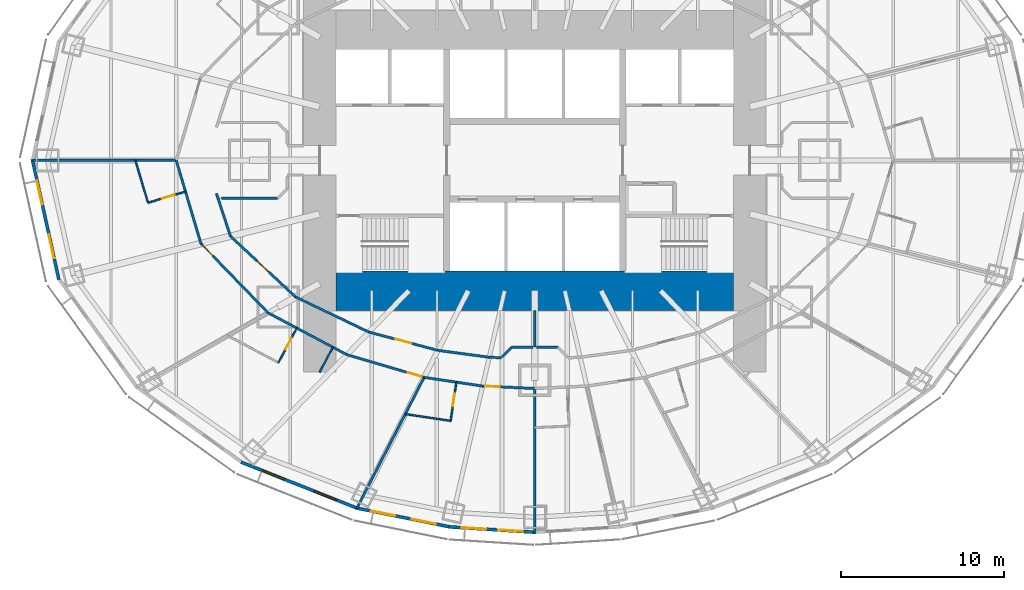
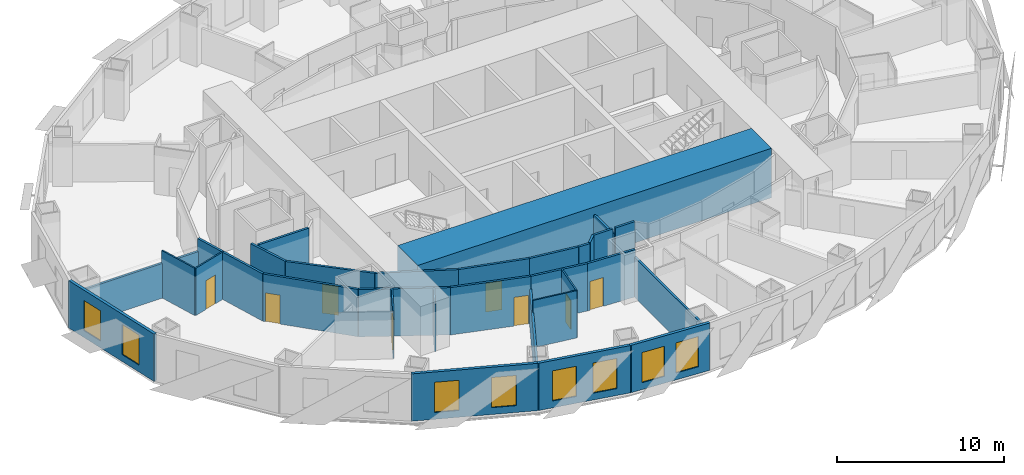
# One storey, part 5 of 15: 31 walls, 8 doors, 8 windows, 16 openings.
"""IFC4 building model written with IfcOpenShell, lengths in metres."""

from ifc_helpers import new_model, si_unit, direction, frame, frame_2d, origin, place, context, subcontext, project, spatial, rectangle, extrude, material, layer, layer_set, type_object, element, fill, save


model = new_model("IFC4")

# Units and contexts
model_context = context("Model", 3, precision=1e-05, world=origin(), true_north=direction((0.0, 1.0)))
body_context = subcontext(model_context, "Body", "Model", "MODEL_VIEW")
ifc_project = project(units=[si_unit("LENGTHUNIT", "METRE"), si_unit("AREAUNIT", "SQUARE_METRE"), si_unit("VOLUMEUNIT", "CUBIC_METRE"), si_unit("PLANEANGLEUNIT", "RADIAN"), si_unit("MASSUNIT", "GRAM", prefix="KILO")], contexts=[model_context])

# Site, building, storey
site_placement = place(None, origin())
site = spatial("IfcSite", under=ifc_project, at=site_placement, CompositionType="ELEMENT")
building_placement = place(site_placement, origin())
building = spatial("IfcBuilding", under=site, at=building_placement, Name="Lantaw Convention Tower", CompositionType="ELEMENT")
storey_placement = place(building_placement, frame((0.0, 0.0, 80.199951171875)))
storey = spatial("IfcBuildingStorey", under=building, at=storey_placement, Name="L18", CompositionType="ELEMENT", Elevation=80.199951171875)

# Wall
ifc_material_1 = material(Name="Gypsum board on steel studs", Category="steel")
ifc_layer_1 = layer(ifc_material_1, 0.14990234375)
ifc_layer_set_1 = layer_set([ifc_layer_1], Name="Back of house wall 150")
wall_type_1 = type_object("IfcWallType", Name="Back of house wall 150", PredefinedType="PARTITIONING", material=ifc_layer_set_1)
wall_1_placement = place(storey_placement, frame((0.0, -9.199951171875, 0.0), z_axis=(0.0, 0.0, 1.0), x_axis=(0.0, -1.0, 0.0)))
element("IfcWall", 1, at=wall_1_placement, inside=storey, type_object=wall_type_1, Name="Back of house wall 150", PredefinedType="PARTITIONING", context=body_context, shape_type="SweptSolid", body=[
    extrude(rectangle(XDim=2.26513671875, YDim=0.14990234375, at=frame_2d((1.132568359375, 0.0))), origin(), (0.0, 0.0, 1.0), 3.043701171875),
])

# Wall, opening, door
ifc_material_2 = material(Name="Moisture resistant gypsum board on steel studs", Category="steel")
ifc_layer_2 = layer(ifc_material_2, 0.10009765625)
ifc_layer_set_2 = layer_set([ifc_layer_2], Name="Bathroom wall 100")
wall_type_2 = type_object("IfcWallType", Name="Bathroom wall 100", PredefinedType="PARTITIONING", material=ifc_layer_set_2)
wall_2_placement = place(storey_placement, frame((-21.430908203125, -1.917236328125, 0.0), z_axis=(0.0, 0.0, 1.0), x_axis=(-0.958639927723, -0.284621659356, 0.0)))
wall_2 = element("IfcWall", 2, at=wall_2_placement, inside=storey, type_object=wall_type_2, Name="Bathroom wall 100", PredefinedType="PARTITIONING", context=body_context, shape_type="SweptSolid", body=[
    extrude(rectangle(XDim=2.400146484375, YDim=0.10009765625, at=frame_2d((1.2001953125, 0.0))), origin(), (0.0, 0.0, 1.0), 3.449951171875),
])
opening_1_placement = place(wall_2_placement, frame((0.699951171875, 0.0, 0.0)))
opening_1 = element("IfcOpeningElement", 3, at=opening_1_placement, cuts=wall_2, Name="Opening L18.39", PredefinedType="OPENING", context=body_context, shape_type="SweptSolid", body=[
    extrude(rectangle(XDim=0.800048828125, YDim=2.10009765625, at=frame_2d((0.39990234375, 1.050048828125))), frame((0.0, 0.06005859375, 0.0), z_axis=(0.0, -1.0, 0.0), x_axis=(1.0, 0.0, 0.0)), (0.0, 0.0, 1.0), 0.1201171875),
])
ifc_material_3 = material(Name="Timber", Category="wood")
door_type_1 = type_object("IfcDoorType", Name="Bathroom door 800", OperationType="SINGLE_SWING_LEFT", PredefinedType="DOOR", material=ifc_material_3)
door_1_placement = place(opening_1_placement, origin())
door_1 = element("IfcDoor", 4, at=door_1_placement, inside=storey, type_object=door_type_1, Name="Bathroom door", OperationType="SINGLE_SWING_LEFT", OverallHeight=2.10009765625, OverallWidth=0.800048828125, PredefinedType="DOOR", context=body_context, shape_type="SweptSolid", body=[
    extrude(rectangle(XDim=0.800048828125, YDim=2.10009765625, at=frame_2d((0.39990234375, 1.050048828125))), frame((0.0, 0.02490234375, 0.0), z_axis=(0.0, -1.0, 0.0), x_axis=(1.0, 0.0, 0.0)), (0.0, 0.0, 1.0), 0.050048828125),
])
fill(opening_1, door_1)

# Wall
wall_3_placement = place(storey_placement, frame((-23.731689453125, -2.600341796875, 0.0), z_axis=(0.0, 0.0, 1.0), x_axis=(-0.284514277473, 0.958671803025, 0.0)))
element("IfcWall", 5, at=wall_3_placement, inside=storey, type_object=wall_type_2, Name="Bathroom wall 100", PredefinedType="PARTITIONING", context=body_context, shape_type="SweptSolid", body=[
    extrude(rectangle(XDim=2.71240234375, YDim=0.10009765625, at=frame_2d((1.356201171875, 0.0))), origin(), (0.0, 0.0, 1.0), 3.449951171875),
])

# Wall, opening, door
wall_4_placement = place(storey_placement, frame((-14.602294921875, -10.291259765625, 0.0), z_axis=(0.0, 0.0, 1.0), x_axis=(-0.468770886208, -0.883319792739, 0.0)))
wall_4 = element("IfcWall", 6, at=wall_4_placement, inside=storey, type_object=wall_type_2, Name="Bathroom wall 100", PredefinedType="PARTITIONING", context=body_context, shape_type="SweptSolid", body=[
    extrude(rectangle(XDim=2.39990234375, YDim=0.10009765625, at=frame_2d((1.199951171875, 0.0))), origin(), (0.0, 0.0, 1.0), 3.449951171875),
])
opening_2_placement = place(wall_4_placement, frame((0.699951171875, 0.0, 0.0)))
opening_2 = element("IfcOpeningElement", 7, at=opening_2_placement, cuts=wall_4, Name="Opening L18.41", PredefinedType="OPENING", context=body_context, shape_type="SweptSolid", body=[
    extrude(rectangle(XDim=0.800048828125, YDim=2.10009765625, at=frame_2d((0.39990234375, 1.050048828125))), frame((0.0, 0.06005859375, 0.0), z_axis=(0.0, -1.0, 0.0), x_axis=(1.0, 0.0, 0.0)), (0.0, 0.0, 1.0), 0.1201171875),
])
door_2_placement = place(opening_2_placement, origin())
door_2 = element("IfcDoor", 8, at=door_2_placement, inside=storey, type_object=door_type_1, Name="Bathroom door", OperationType="SINGLE_SWING_LEFT", OverallHeight=2.10009765625, OverallWidth=0.800048828125, PredefinedType="DOOR", context=body_context, shape_type="SweptSolid", body=[
    extrude(rectangle(XDim=0.800048828125, YDim=2.10009765625, at=frame_2d((0.39990234375, 1.050048828125))), frame((0.0, 0.02490234375, 0.0), z_axis=(0.0, -1.0, 0.0), x_axis=(1.0, 0.0, 0.0)), (0.0, 0.0, 1.0), 0.050048828125),
])
fill(opening_2, door_2)

wall_5_placement = place(storey_placement, frame((-4.807373046875, -13.61181640625, 0.0), z_axis=(0.0, 0.0, 1.0), x_axis=(-0.147201193874, -0.989106570862, 0.0)))
wall_5 = element("IfcWall", 9, at=wall_5_placement, inside=storey, type_object=wall_type_2, Name="Bathroom wall 100", PredefinedType="PARTITIONING", context=body_context, shape_type="SweptSolid", body=[
    extrude(rectangle(XDim=2.39990234375, YDim=0.10009765625, at=frame_2d((1.199951171875, 0.0))), origin(), (0.0, 0.0, 1.0), 3.449951171875),
])
opening_3_placement = place(wall_5_placement, frame((0.699951171875, 0.0, 0.0)))
opening_3 = element("IfcOpeningElement", 10, at=opening_3_placement, cuts=wall_5, Name="Opening L18.43", PredefinedType="OPENING", context=body_context, shape_type="SweptSolid", body=[
    extrude(rectangle(XDim=0.800048828125, YDim=2.10009765625, at=frame_2d((0.39990234375, 1.050048828125))), frame((0.0, 0.06005859375, 0.0), z_axis=(0.0, -1.0, 0.0), x_axis=(1.0, 0.0, 0.0)), (0.0, 0.0, 1.0), 0.1201171875),
])
door_3_placement = place(opening_3_placement, origin())
door_3 = element("IfcDoor", 11, at=door_3_placement, inside=storey, type_object=door_type_1, Name="Bathroom door", OperationType="SINGLE_SWING_LEFT", OverallHeight=2.10009765625, OverallWidth=0.800048828125, PredefinedType="DOOR", context=body_context, shape_type="SweptSolid", body=[
    extrude(rectangle(XDim=0.800048828125, YDim=2.10009765625, at=frame_2d((0.39990234375, 1.050048828125))), frame((0.0, 0.02490234375, 0.0), z_axis=(0.0, -1.0, 0.0), x_axis=(1.0, 0.0, 0.0)), (0.0, 0.0, 1.0), 0.050048828125),
])
fill(opening_3, door_3)

# Walls
wall_6_placement = place(storey_placement, frame((-5.16064453125, -15.985595703125, 0.0), z_axis=(0.0, 0.0, 1.0), x_axis=(-0.98910744157, 0.147195343104, 0.0)))
element("IfcWall", 12, at=wall_6_placement, inside=storey, type_object=wall_type_2, Name="Bathroom wall 100", PredefinedType="PARTITIONING", context=body_context, shape_type="SweptSolid", body=[
    extrude(rectangle(XDim=2.8046875, YDim=0.10009765625, at=frame_2d((1.40234375, 0.0))), origin(), (0.0, 0.0, 1.0), 3.449951171875),
])
ifc_material_4 = material(Name="Concrete C60/75", Category="concrete")
ifc_layer_3 = layer(ifc_material_4, 2.39990234375)
ifc_layer_set_3 = layer_set([ifc_layer_3], Name="Core wall 2400")
wall_type_3 = type_object("IfcWallType", Name="Core wall 2400", PredefinedType="SHEAR", material=ifc_layer_set_3)
wall_7_placement = place(storey_placement, frame((-12.199951171875, -8.0, 0.0), z_axis=(0.0, 0.0, 1.0), x_axis=(1.0, 0.0, 0.0)))
element("IfcWall", 13, at=wall_7_placement, inside=storey, type_object=wall_type_3, Name="Core wall S", PredefinedType="SHEAR", context=body_context, shape_type="SweptSolid", body=[
    extrude(rectangle(XDim=24.39990234375, YDim=2.39990234375, at=frame_2d((12.199951171875, 0.0))), origin(), (0.0, 0.0, 1.0), 3.60009765625),
])
ifc_material_5 = material(Name="Gypsum board on steel studs, fire rated", Category="steel")
ifc_layer_4 = layer(ifc_material_5, 0.14990234375)
ifc_layer_set_4 = layer_set([ifc_layer_4], Name="Corridor wall 150 EI 60")
wall_type_4 = type_object("IfcWallType", Name="Corridor wall 150 EI 60", PredefinedType="PARTITIONING", material=ifc_layer_set_4)
wall_8_placement = place(storey_placement, frame((-22.0, 0.0, 0.0), z_axis=(0.0, 0.0, 1.0), x_axis=(0.284584469409, -0.95865096869, 0.0)))
element("IfcWall", 14, at=wall_8_placement, inside=storey, type_object=wall_type_4, Name="Corridor wall 150", PredefinedType="PARTITIONING", context=body_context, shape_type="SweptSolid", body=[
    extrude(rectangle(XDim=5.327392578125, YDim=0.14990234375, at=frame_2d((2.66357421875, 0.0))), origin(), (0.0, 0.0, 1.0), 3.449951171875),
])

# Wall, opening, door
wall_9_placement = place(storey_placement, frame((-20.48388671875, -5.107177734375, 0.0), z_axis=(0.0, 0.0, 1.0), x_axis=(0.695871090686, -0.71816671125, 0.0)))
wall_9 = element("IfcWall", 15, at=wall_9_placement, inside=storey, type_object=wall_type_4, Name="Corridor wall 150", PredefinedType="PARTITIONING", context=body_context, shape_type="SweptSolid", body=[
    extrude(rectangle(XDim=5.9130859375, YDim=0.14990234375, at=frame_2d((2.95654296875, 0.0))), origin(), (0.0, 0.0, 1.0), 3.449951171875),
])
opening_4_placement = place(wall_9_placement, frame((0.14990234375, 0.0, 0.0)))
opening_4 = element("IfcOpeningElement", 16, at=opening_4_placement, cuts=wall_9, Name="Opening L18.40", PredefinedType="OPENING", context=body_context, shape_type="SweptSolid", body=[
    extrude(rectangle(XDim=0.89990234375, YDim=2.10009765625, at=frame_2d((0.449951171875, 1.050048828125))), frame((0.0, 0.0849609375, 0.0), z_axis=(0.0, -1.0, 0.0), x_axis=(1.0, 0.0, 0.0)), (0.0, 0.0, 1.0), 0.169921875),
])
ifc_material_6 = material(Name="Steel, fire rated", Category="steel")
door_type_2 = type_object("IfcDoorType", Name="Guest room entrance door FD30S", OperationType="SINGLE_SWING_LEFT", PredefinedType="DOOR", material=ifc_material_6)
door_4_placement = place(opening_4_placement, origin())
door_4 = element("IfcDoor", 17, at=door_4_placement, inside=storey, type_object=door_type_2, Name="Junior suite entrance door", OperationType="SINGLE_SWING_LEFT", OverallHeight=2.10009765625, OverallWidth=0.89990234375, PredefinedType="DOOR", context=body_context, shape_type="SweptSolid", body=[
    extrude(rectangle(XDim=0.89990234375, YDim=2.10009765625, at=frame_2d((0.449951171875, 1.050048828125))), frame((0.0, 0.02490234375, 0.0), z_axis=(0.0, -1.0, 0.0), x_axis=(1.0, 0.0, 0.0)), (0.0, 0.0, 1.0), 0.050048828125),
])
fill(opening_4, door_4)

# Wall
wall_10_placement = place(storey_placement, frame((-16.369140625, -9.353759765625, 0.0), z_axis=(0.0, 0.0, 1.0), x_axis=(0.883334368785, -0.468743419071, 0.0)))
element("IfcWall", 18, at=wall_10_placement, inside=storey, type_object=wall_type_4, Name="Corridor wall 150", PredefinedType="PARTITIONING", context=body_context, shape_type="SweptSolid", body=[
    extrude(rectangle(XDim=5.4912109375, YDim=0.14990234375, at=frame_2d((2.74560546875, 0.0))), origin(), (0.0, 0.0, 1.0), 3.449951171875),
])

# Wall, opening, door
wall_11_placement = place(storey_placement, frame((-11.5185546875, -11.927734375, 0.0), z_axis=(0.0, 0.0, 1.0), x_axis=(0.959496227294, -0.281721475589, 0.0)))
wall_11 = element("IfcWall", 19, at=wall_11_placement, inside=storey, type_object=wall_type_4, Name="Corridor wall 150", PredefinedType="PARTITIONING", context=body_context, shape_type="SweptSolid", body=[
    extrude(rectangle(XDim=4.9326171875, YDim=0.14990234375, at=frame_2d((2.46630859375, 0.0))), origin(), (0.0, 0.0, 1.0), 3.449951171875),
])
opening_5_placement = place(wall_11_placement, frame((3.8828125, 0.0, 0.0)))
opening_5 = element("IfcOpeningElement", 20, at=opening_5_placement, cuts=wall_11, Name="Opening L18.42", PredefinedType="OPENING", context=body_context, shape_type="SweptSolid", body=[
    extrude(rectangle(XDim=0.89990234375, YDim=2.10009765625, at=frame_2d((0.449951171875, 1.050048828125))), frame((0.0, 0.0849609375, 0.0), z_axis=(0.0, -1.0, 0.0), x_axis=(1.0, 0.0, 0.0)), (0.0, 0.0, 1.0), 0.169921875),
])
door_5_placement = place(opening_5_placement, origin())
door_5 = element("IfcDoor", 21, at=door_5_placement, inside=storey, type_object=door_type_2, Name="Junior suite entrance door", OperationType="SINGLE_SWING_LEFT", OverallHeight=2.10009765625, OverallWidth=0.89990234375, PredefinedType="DOOR", context=body_context, shape_type="SweptSolid", body=[
    extrude(rectangle(XDim=0.89990234375, YDim=2.10009765625, at=frame_2d((0.449951171875, 1.050048828125))), frame((0.0, 0.02490234375, 0.0), z_axis=(0.0, -1.0, 0.0), x_axis=(1.0, 0.0, 0.0)), (0.0, 0.0, 1.0), 0.050048828125),
])
fill(opening_5, door_5)

# Wall
wall_12_placement = place(storey_placement, frame((-6.78564453125, -13.3173828125, 0.0), z_axis=(0.0, 0.0, 1.0), x_axis=(0.989107488999, -0.14719502439, 0.0)))
element("IfcWall", 22, at=wall_12_placement, inside=storey, type_object=wall_type_4, Name="Corridor wall 150", PredefinedType="PARTITIONING", context=body_context, shape_type="SweptSolid", body=[
    extrude(rectangle(XDim=3.62744140625, YDim=0.14990234375, at=frame_2d((1.813720703125, 0.0))), origin(), (0.0, 0.0, 1.0), 3.449951171875),
])

# Wall, opening, door
wall_13_placement = place(storey_placement, frame((-3.19775390625, -13.851318359375, 0.0), z_axis=(0.0, 0.0, 1.0), x_axis=(0.998920826789, -0.046445471333, 0.0)))
wall_13 = element("IfcWall", 23, at=wall_13_placement, inside=storey, type_object=wall_type_4, Name="Corridor wall 150", PredefinedType="PARTITIONING", context=body_context, shape_type="SweptSolid", body=[
    extrude(rectangle(XDim=3.201171875, YDim=0.14990234375, at=frame_2d((1.6005859375, 0.0))), origin(), (0.0, 0.0, 1.0), 3.449951171875),
])
opening_6_placement = place(wall_13_placement, frame((0.14990234375, 0.0, 0.0)))
opening_6 = element("IfcOpeningElement", 24, at=opening_6_placement, cuts=wall_13, Name="Opening L18.44", PredefinedType="OPENING", context=body_context, shape_type="SweptSolid", body=[
    extrude(rectangle(XDim=0.89990234375, YDim=2.10009765625, at=frame_2d((0.449951171875, 1.050048828125))), frame((0.0, 0.0849609375, 0.0), z_axis=(0.0, -1.0, 0.0), x_axis=(1.0, 0.0, 0.0)), (0.0, 0.0, 1.0), 0.169921875),
])
door_6_placement = place(opening_6_placement, origin())
door_6 = element("IfcDoor", 25, at=door_6_placement, inside=storey, type_object=door_type_2, Name="Junior suite entrance door", OperationType="SINGLE_SWING_LEFT", OverallHeight=2.10009765625, OverallWidth=0.89990234375, PredefinedType="DOOR", context=body_context, shape_type="SweptSolid", body=[
    extrude(rectangle(XDim=0.89990234375, YDim=2.10009765625, at=frame_2d((0.449951171875, 1.050048828125))), frame((0.0, 0.02490234375, 0.0), z_axis=(0.0, -1.0, 0.0), x_axis=(1.0, 0.0, 0.0)), (0.0, 0.0, 1.0), 0.050048828125),
])
fill(opening_6, door_6)

wall_14_placement = place(storey_placement, frame((-18.671630859375, -4.6552734375, 0.0), z_axis=(0.0, 0.0, 1.0), x_axis=(0.731260145007, -0.682098673452, 0.0)))
wall_14 = element("IfcWall", 26, at=wall_14_placement, inside=storey, type_object=wall_type_4, Name="Corridor wall 150", PredefinedType="PARTITIONING", context=body_context, shape_type="SweptSolid", body=[
    extrude(rectangle(XDim=5.4677734375, YDim=0.14990234375, at=frame_2d((2.73388671875, 0.0))), origin(), (0.0, 0.0, 1.0), 3.449951171875),
])
opening_7_placement = place(wall_14_placement, frame((2.23388671875, 0.0, 0.0)))
opening_7 = element("IfcOpeningElement", 27, at=opening_7_placement, cuts=wall_14, Name="Opening L18.21", PredefinedType="OPENING", context=body_context, shape_type="SweptSolid", body=[
    extrude(rectangle(XDim=1.0, YDim=2.10009765625, at=frame_2d((0.5, 1.050048828125))), frame((0.0, 0.0849609375, 0.0), z_axis=(0.0, -1.0, 0.0), x_axis=(1.0, 0.0, 0.0)), (0.0, 0.0, 1.0), 0.169921875),
])
door_type_3 = type_object("IfcDoorType", Name="Service door 1000 FD30", OperationType="SINGLE_SWING_LEFT", PredefinedType="DOOR", material=ifc_material_6)
door_7_placement = place(opening_7_placement, origin())
door_7 = element("IfcDoor", 28, at=door_7_placement, inside=storey, type_object=door_type_3, Name="Staff room door", OperationType="SINGLE_SWING_LEFT", OverallHeight=2.10009765625, OverallWidth=1.0, PredefinedType="DOOR", context=body_context, shape_type="SweptSolid", body=[
    extrude(rectangle(XDim=1.0, YDim=2.10009765625, at=frame_2d((0.5, 1.050048828125))), frame((0.0, 0.02490234375, 0.0), z_axis=(0.0, -1.0, 0.0), x_axis=(1.0, 0.0, 0.0)), (0.0, 0.0, 1.0), 0.050048828125),
])
fill(opening_7, door_7)

# Wall
wall_15_placement = place(storey_placement, frame((-14.67333984375, -8.384765625, 0.0), z_axis=(0.0, 0.0, 1.0), x_axis=(0.901869692799, -0.43200816799, 0.0)))
element("IfcWall", 29, at=wall_15_placement, inside=storey, type_object=wall_type_4, Name="Corridor wall 150", PredefinedType="PARTITIONING", context=body_context, shape_type="SweptSolid", body=[
    extrude(rectangle(XDim=4.985595703125, YDim=0.14990234375, at=frame_2d((2.49267578125, 0.0))), origin(), (0.0, 0.0, 1.0), 3.449951171875),
])

# Wall, opening, door
wall_16_placement = place(storey_placement, frame((-10.177001953125, -10.53857421875, 0.0), z_axis=(0.0, 0.0, 1.0), x_axis=(0.966672790407, -0.256015070428, 0.0)))
wall_16 = element("IfcWall", 30, at=wall_16_placement, inside=storey, type_object=wall_type_4, Name="Corridor wall 150", PredefinedType="PARTITIONING", context=body_context, shape_type="SweptSolid", body=[
    extrude(rectangle(XDim=4.3818359375, YDim=0.14990234375, at=frame_2d((2.19091796875, 0.0))), origin(), (0.0, 0.0, 1.0), 3.449951171875),
])
opening_8_placement = place(wall_16_placement, frame((1.69091796875, 0.0, 0.0)))
opening_8 = element("IfcOpeningElement", 31, at=opening_8_placement, cuts=wall_16, Name="Opening L18.22", PredefinedType="OPENING", context=body_context, shape_type="SweptSolid", body=[
    extrude(rectangle(XDim=1.0, YDim=2.10009765625, at=frame_2d((0.5, 1.050048828125))), frame((0.0, 0.0849609375, 0.0), z_axis=(0.0, -1.0, 0.0), x_axis=(1.0, 0.0, 0.0)), (0.0, 0.0, 1.0), 0.169921875),
])
door_8_placement = place(opening_8_placement, origin())
door_8 = element("IfcDoor", 32, at=door_8_placement, inside=storey, type_object=door_type_3, Name="Staff room door", OperationType="SINGLE_SWING_LEFT", OverallHeight=2.10009765625, OverallWidth=1.0, PredefinedType="DOOR", context=body_context, shape_type="SweptSolid", body=[
    extrude(rectangle(XDim=1.0, YDim=2.10009765625, at=frame_2d((0.5, 1.050048828125))), frame((0.0, 0.02490234375, 0.0), z_axis=(0.0, -1.0, 0.0), x_axis=(1.0, 0.0, 0.0)), (0.0, 0.0, 1.0), 0.050048828125),
])
fill(opening_8, door_8)

# Walls
wall_17_placement = place(storey_placement, frame((-5.941162109375, -11.660400390625, 0.0), z_axis=(0.0, 0.0, 1.0), x_axis=(0.991129053928, -0.13290296633, 0.0)))
element("IfcWall", 33, at=wall_17_placement, inside=storey, type_object=wall_type_4, Name="Corridor wall 150", PredefinedType="PARTITIONING", context=body_context, shape_type="SweptSolid", body=[
    extrude(rectangle(XDim=3.179931640625, YDim=0.14990234375, at=frame_2d((1.58984375, 0.0))), origin(), (0.0, 0.0, 1.0), 3.449951171875),
])
wall_18_placement = place(storey_placement, frame((-19.533447265625, -2.0302734375, 0.0), z_axis=(0.0, 0.0, 1.0), x_axis=(0.311929965981, -0.950105097515, 0.0)))
element("IfcWall", 34, at=wall_18_placement, inside=storey, type_object=wall_type_4, Name="Corridor wall 150", PredefinedType="PARTITIONING", context=body_context, shape_type="SweptSolid", body=[
    extrude(rectangle(XDim=2.762939453125, YDim=0.14990234375, at=frame_2d((1.38134765625, 0.0))), origin(), (0.0, 0.0, 1.0), 3.449951171875),
])
wall_19_placement = place(storey_placement, frame((-15.775390625, -2.324951171875, 0.0), z_axis=(0.0, 0.0, 1.0), x_axis=(-1.0, 0.0, 0.0)))
element("IfcWall", 35, at=wall_19_placement, inside=storey, type_object=wall_type_4, Name="Corridor wall 150", PredefinedType="PARTITIONING", context=body_context, shape_type="SweptSolid", body=[
    extrude(rectangle(XDim=3.44921875, YDim=0.14990234375, at=frame_2d((1.724609375, 0.0))), origin(), (0.0, 0.0, 1.0), 3.449951171875),
])
wall_20_placement = place(storey_placement, frame((-2.78955078125, -12.0830078125, 0.0), z_axis=(0.0, 0.0, 1.0), x_axis=(0.999116751279, -0.042020439232, 0.0)))
element("IfcWall", 36, at=wall_20_placement, inside=storey, type_object=wall_type_4, Name="Corridor wall 150", PredefinedType="PARTITIONING", context=body_context, shape_type="SweptSolid", body=[
    extrude(rectangle(XDim=0.75537109375, YDim=0.14990234375, at=frame_2d((0.377685546875, 0.0))), origin(), (0.0, 0.0, 1.0), 3.449951171875),
])
wall_21_placement = place(storey_placement, frame((-2.00244140625, -12.052734375, 0.0), z_axis=(0.0, 0.0, 1.0), x_axis=(0.707256164678, 0.706957366129, 0.0)))
element("IfcWall", 37, at=wall_21_placement, inside=storey, type_object=wall_type_4, Name="Corridor wall 150", PredefinedType="PARTITIONING", context=body_context, shape_type="SweptSolid", body=[
    extrude(rectangle(XDim=0.817138671875, YDim=0.14990234375, at=frame_2d((0.40869140625, 0.0))), origin(), (0.0, 0.0, 1.0), 3.449951171875),
])
for number, where, z_axis, x_axis, name in (
    (38, (-1.424560546875, -11.47509765625, 0.0), (0.0, 0.0, 1.0), (1.0, 0.0, 0.0), "Corridor wall 150"),
    (39, (0.103271484375, -11.47509765625, 0.0), (0.0, 0.0, 1.0), (1.0, 0.0, 0.0), "Corridor wall 150"),
):
    element("IfcWall", number, at=place(storey_placement, frame(where, z_axis=z_axis, x_axis=x_axis)), inside=storey, type_object=wall_type_4, Name=name, PredefinedType="PARTITIONING", context=body_context, shape_type="SweptSolid", body=[
        extrude(rectangle(XDim=1.3212890625, YDim=0.14990234375, at=frame_2d((0.66064453125, 0.0))), origin(), (0.0, 0.0, 1.0), 3.449951171875),
    ])

# Wall, openings, windows
ifc_material_7 = material(Name="Insulated aluminium panel on steel frame", Category="steel")
ifc_layer_5 = layer(ifc_material_7, 0.199951171875)
ifc_layer_set_5 = layer_set([ifc_layer_5], Name="External wall 200")
wall_type_5 = type_object("IfcWallType", Name="External wall 200", PredefinedType="SOLIDWALL", material=ifc_layer_set_5)
wall_22_placement = place(storey_placement, frame((-30.83544921875, 0.06689453125, 0.0), z_axis=(0.0, 0.0, 1.0), x_axis=(0.215238065514, -0.976561608478, 0.0)))
wall_22 = element("IfcWall", 40, at=wall_22_placement, inside=storey, type_object=wall_type_5, Name="Facade panel wall", PredefinedType="SOLIDWALL", context=body_context, shape_type="SweptSolid", body=[
    extrude(rectangle(XDim=7.562255859375, YDim=0.199951171875, at=frame_2d((3.78125, 0.0))), origin(), (0.0, 0.0, 1.0), 3.449951171875),
])
opening_9_placement = place(wall_22_placement, frame((1.340576171875, 0.0, 0.5)))
opening_9 = element("IfcOpeningElement", 41, at=opening_9_placement, cuts=wall_22, Name="Opening W2", PredefinedType="OPENING", context=body_context, shape_type="SweptSolid", body=[
    extrude(rectangle(XDim=1.5, YDim=2.199951171875, at=frame_2d((0.75, 1.10009765625))), frame((0.0, 0.10986328125, 0.0), z_axis=(0.0, -1.0, 0.0), x_axis=(1.0, 0.0, 0.0)), (0.0, 0.0, 1.0), 0.219970703125),
])
opening_10_placement = place(wall_22_placement, frame((4.7216796875, 0.0, 0.5)))
opening_10 = element("IfcOpeningElement", 42, at=opening_10_placement, cuts=wall_22, Name="Opening W2", PredefinedType="OPENING", context=body_context, shape_type="SweptSolid", body=[
    extrude(rectangle(XDim=1.5, YDim=2.199951171875, at=frame_2d((0.75, 1.10009765625))), frame((0.0, 0.10986328125, 0.0), z_axis=(0.0, -1.0, 0.0), x_axis=(1.0, 0.0, 0.0)), (0.0, 0.0, 1.0), 0.219970703125),
])
ifc_material_8 = material(Name="Aluminium frame, clear insulating glass", Category="aluminium")
window_type = type_object("IfcWindowType", Name="Suite window 1500x2200", PartitioningType="SINGLE_PANEL", PredefinedType="WINDOW", material=ifc_material_8)
window_1_placement = place(opening_9_placement, origin())
window_1 = element("IfcWindow", 43, at=window_1_placement, inside=storey, type_object=window_type, Name="Guest room window", OverallHeight=2.199951171875, OverallWidth=1.5, PartitioningType="SINGLE_PANEL", PredefinedType="WINDOW", context=body_context, shape_type="SweptSolid", body=[
    extrude(rectangle(XDim=1.5, YDim=2.199951171875, at=frame_2d((0.75, 1.10009765625))), frame((0.0, 0.030029296875, 0.0), z_axis=(0.0, -1.0, 0.0), x_axis=(1.0, 0.0, 0.0)), (0.0, 0.0, 1.0), 0.06005859375),
])
fill(opening_9, window_1)
window_2_placement = place(opening_10_placement, origin())
window_2 = element("IfcWindow", 44, at=window_2_placement, inside=storey, type_object=window_type, Name="Guest room window", OverallHeight=2.199951171875, OverallWidth=1.5, PartitioningType="SINGLE_PANEL", PredefinedType="WINDOW", context=body_context, shape_type="SweptSolid", body=[
    extrude(rectangle(XDim=1.5, YDim=2.199951171875, at=frame_2d((0.75, 1.10009765625))), frame((0.0, 0.030029296875, 0.0), z_axis=(0.0, -1.0, 0.0), x_axis=(1.0, 0.0, 0.0)), (0.0, 0.0, 1.0), 0.06005859375),
])
fill(opening_10, window_2)

wall_23_placement = place(storey_placement, frame((-18.018310546875, -18.522705078125, 0.0), z_axis=(0.0, 0.0, 1.0), x_axis=(0.929358351251, -0.369178892895, 0.0)))
wall_23 = element("IfcWall", 45, at=wall_23_placement, inside=storey, type_object=wall_type_5, Name="Facade panel wall", PredefinedType="SOLIDWALL", context=body_context, shape_type="SweptSolid", body=[
    extrude(rectangle(XDim=7.6923828125, YDim=0.199951171875, at=frame_2d((3.84619140625, 0.0))), origin(), (0.0, 0.0, 1.0), 3.449951171875),
])
opening_11_placement = place(wall_23_placement, frame((1.373046875, 0.0, 0.5)))
opening_11 = element("IfcOpeningElement", 46, at=opening_11_placement, cuts=wall_23, Name="Opening W2", PredefinedType="OPENING", context=body_context, shape_type="SweptSolid", body=[
    extrude(rectangle(XDim=1.5, YDim=2.199951171875, at=frame_2d((0.75, 1.10009765625))), frame((0.0, 0.10986328125, 0.0), z_axis=(0.0, -1.0, 0.0), x_axis=(1.0, 0.0, 0.0)), (0.0, 0.0, 1.0), 0.219970703125),
])
opening_12_placement = place(wall_23_placement, frame((4.819091796875, 0.0, 0.5)))
opening_12 = element("IfcOpeningElement", 47, at=opening_12_placement, cuts=wall_23, Name="Opening W2", PredefinedType="OPENING", context=body_context, shape_type="SweptSolid", body=[
    extrude(rectangle(XDim=1.5, YDim=2.199951171875, at=frame_2d((0.75, 1.10009765625))), frame((0.0, 0.10986328125, 0.0), z_axis=(0.0, -1.0, 0.0), x_axis=(1.0, 0.0, 0.0)), (0.0, 0.0, 1.0), 0.219970703125),
])
window_3_placement = place(opening_11_placement, origin())
window_3 = element("IfcWindow", 48, at=window_3_placement, inside=storey, type_object=window_type, Name="Guest room window", OverallHeight=2.199951171875, OverallWidth=1.5, PartitioningType="SINGLE_PANEL", PredefinedType="WINDOW", context=body_context, shape_type="SweptSolid", body=[
    extrude(rectangle(XDim=1.5, YDim=2.199951171875, at=frame_2d((0.75, 1.10009765625))), frame((0.0, 0.030029296875, 0.0), z_axis=(0.0, -1.0, 0.0), x_axis=(1.0, 0.0, 0.0)), (0.0, 0.0, 1.0), 0.06005859375),
])
fill(opening_11, window_3)
window_4_placement = place(opening_12_placement, origin())
window_4 = element("IfcWindow", 49, at=window_4_placement, inside=storey, type_object=window_type, Name="Guest room window", OverallHeight=2.199951171875, OverallWidth=1.5, PartitioningType="SINGLE_PANEL", PredefinedType="WINDOW", context=body_context, shape_type="SweptSolid", body=[
    extrude(rectangle(XDim=1.5, YDim=2.199951171875, at=frame_2d((0.75, 1.10009765625))), frame((0.0, 0.030029296875, 0.0), z_axis=(0.0, -1.0, 0.0), x_axis=(1.0, 0.0, 0.0)), (0.0, 0.0, 1.0), 0.06005859375),
])
fill(opening_12, window_4)

wall_24_placement = place(storey_placement, frame((-10.956787109375, -21.336669921875, 0.0), z_axis=(0.0, 0.0, 1.0), x_axis=(0.980251657452, -0.197754110105, 0.0)))
wall_24 = element("IfcWall", 50, at=wall_24_placement, inside=storey, type_object=wall_type_5, Name="Facade panel wall", PredefinedType="SOLIDWALL", context=body_context, shape_type="SweptSolid", body=[
    extrude(rectangle(XDim=5.90380859375, YDim=0.199951171875, at=frame_2d((2.951904296875, 0.0))), origin(), (0.0, 0.0, 1.0), 3.449951171875),
])
opening_13_placement = place(wall_24_placement, frame((0.92578125, 0.0, 0.5)))
opening_13 = element("IfcOpeningElement", 51, at=opening_13_placement, cuts=wall_24, Name="Opening W2", PredefinedType="OPENING", context=body_context, shape_type="SweptSolid", body=[
    extrude(rectangle(XDim=1.5, YDim=2.199951171875, at=frame_2d((0.75, 1.10009765625))), frame((0.0, 0.10986328125, 0.0), z_axis=(0.0, -1.0, 0.0), x_axis=(1.0, 0.0, 0.0)), (0.0, 0.0, 1.0), 0.219970703125),
])
opening_14_placement = place(wall_24_placement, frame((3.477783203125, 0.0, 0.5)))
opening_14 = element("IfcOpeningElement", 52, at=opening_14_placement, cuts=wall_24, Name="Opening W2", PredefinedType="OPENING", context=body_context, shape_type="SweptSolid", body=[
    extrude(rectangle(XDim=1.5, YDim=2.199951171875, at=frame_2d((0.75, 1.10009765625))), frame((0.0, 0.10986328125, 0.0), z_axis=(0.0, -1.0, 0.0), x_axis=(1.0, 0.0, 0.0)), (0.0, 0.0, 1.0), 0.219970703125),
])
window_5_placement = place(opening_13_placement, origin())
window_5 = element("IfcWindow", 53, at=window_5_placement, inside=storey, type_object=window_type, Name="Guest room window", OverallHeight=2.199951171875, OverallWidth=1.5, PartitioningType="SINGLE_PANEL", PredefinedType="WINDOW", context=body_context, shape_type="SweptSolid", body=[
    extrude(rectangle(XDim=1.5, YDim=2.199951171875, at=frame_2d((0.75, 1.10009765625))), frame((0.0, 0.030029296875, 0.0), z_axis=(0.0, -1.0, 0.0), x_axis=(1.0, 0.0, 0.0)), (0.0, 0.0, 1.0), 0.06005859375),
])
fill(opening_13, window_5)
window_6_placement = place(opening_14_placement, origin())
window_6 = element("IfcWindow", 54, at=window_6_placement, inside=storey, type_object=window_type, Name="Guest room window", OverallHeight=2.199951171875, OverallWidth=1.5, PartitioningType="SINGLE_PANEL", PredefinedType="WINDOW", context=body_context, shape_type="SweptSolid", body=[
    extrude(rectangle(XDim=1.5, YDim=2.199951171875, at=frame_2d((0.75, 1.10009765625))), frame((0.0, 0.030029296875, 0.0), z_axis=(0.0, -1.0, 0.0), x_axis=(1.0, 0.0, 0.0)), (0.0, 0.0, 1.0), 0.06005859375),
])
fill(opening_14, window_6)

wall_25_placement = place(storey_placement, frame((-5.252685546875, -22.493408203125, 0.0), z_axis=(0.0, 0.0, 1.0), x_axis=(0.998018582375, -0.062919863585, 0.0)))
wall_25 = element("IfcWall", 55, at=wall_25_placement, inside=storey, type_object=wall_type_5, Name="Facade panel wall", PredefinedType="SOLIDWALL", context=body_context, shape_type="SweptSolid", body=[
    extrude(rectangle(XDim=5.30419921875, YDim=0.199951171875, at=frame_2d((2.652099609375, 0.0))), origin(), (0.0, 0.0, 1.0), 3.449951171875),
])
opening_15_placement = place(wall_25_placement, frame((0.77587890625, 0.0, 0.5)))
opening_15 = element("IfcOpeningElement", 56, at=opening_15_placement, cuts=wall_25, Name="Opening W2", PredefinedType="OPENING", context=body_context, shape_type="SweptSolid", body=[
    extrude(rectangle(XDim=1.5, YDim=2.199951171875, at=frame_2d((0.75, 1.10009765625))), frame((0.0, 0.10986328125, 0.0), z_axis=(0.0, -1.0, 0.0), x_axis=(1.0, 0.0, 0.0)), (0.0, 0.0, 1.0), 0.219970703125),
])
opening_16_placement = place(wall_25_placement, frame((3.028076171875, 0.0, 0.5)))
opening_16 = element("IfcOpeningElement", 57, at=opening_16_placement, cuts=wall_25, Name="Opening W2", PredefinedType="OPENING", context=body_context, shape_type="SweptSolid", body=[
    extrude(rectangle(XDim=1.5, YDim=2.199951171875, at=frame_2d((0.75, 1.10009765625))), frame((0.0, 0.10986328125, 0.0), z_axis=(0.0, -1.0, 0.0), x_axis=(1.0, 0.0, 0.0)), (0.0, 0.0, 1.0), 0.219970703125),
])
window_7_placement = place(opening_15_placement, origin())
window_7 = element("IfcWindow", 58, at=window_7_placement, inside=storey, type_object=window_type, Name="Guest room window", OverallHeight=2.199951171875, OverallWidth=1.5, PartitioningType="SINGLE_PANEL", PredefinedType="WINDOW", context=body_context, shape_type="SweptSolid", body=[
    extrude(rectangle(XDim=1.5, YDim=2.199951171875, at=frame_2d((0.75, 1.10009765625))), frame((0.0, 0.030029296875, 0.0), z_axis=(0.0, -1.0, 0.0), x_axis=(1.0, 0.0, 0.0)), (0.0, 0.0, 1.0), 0.06005859375),
])
fill(opening_15, window_7)
window_8_placement = place(opening_16_placement, origin())
window_8 = element("IfcWindow", 59, at=window_8_placement, inside=storey, type_object=window_type, Name="Guest room window", OverallHeight=2.199951171875, OverallWidth=1.5, PartitioningType="SINGLE_PANEL", PredefinedType="WINDOW", context=body_context, shape_type="SweptSolid", body=[
    extrude(rectangle(XDim=1.5, YDim=2.199951171875, at=frame_2d((0.75, 1.10009765625))), frame((0.0, 0.030029296875, 0.0), z_axis=(0.0, -1.0, 0.0), x_axis=(1.0, 0.0, 0.0)), (0.0, 0.0, 1.0), 0.06005859375),
])
fill(opening_16, window_8)

# Walls
ifc_material_9 = material(Name="Gypsum board on steel studs, acoustic", Category="steel")
ifc_layer_6 = layer(ifc_material_9, 0.14990234375)
ifc_layer_set_6 = layer_set([ifc_layer_6], Name="Guest room party wall 150")
wall_type_6 = type_object("IfcWallType", Name="Guest room party wall 150", PredefinedType="PARTITIONING", material=ifc_layer_set_6)
wall_26_placement = place(storey_placement, frame((-30.82080078125, 0.0, 0.0), z_axis=(0.0, 0.0, 1.0), x_axis=(1.0, 0.0, 0.0)))
element("IfcWall", 60, at=wall_26_placement, inside=storey, type_object=wall_type_6, Name="Guest room party wall 150", PredefinedType="PARTITIONING", context=body_context, shape_type="SweptSolid", body=[
    extrude(rectangle(XDim=8.82080078125, YDim=0.14990234375, at=frame_2d((4.410400390625, 0.0))), origin(), (0.0, 0.0, 1.0), 2.528076171875),
])
wall_27_placement = place(storey_placement, frame((-10.911865234375, -21.345703125, 0.0), z_axis=(0.0, 0.0, 1.0), x_axis=(0.457117602022, 0.889406261458, 0.0)))
element("IfcWall", 61, at=wall_27_placement, inside=storey, type_object=wall_type_6, Name="Guest room party wall 150", PredefinedType="PARTITIONING", context=body_context, shape_type="SweptSolid", body=[
    extrude(rectangle(XDim=9.026611328125, YDim=0.14990234375, at=frame_2d((4.51318359375, 0.0))), origin(), (0.0, 0.0, 1.0), 2.528076171875),
])
wall_28_placement = place(storey_placement, frame((0.0, -22.82470703125, 0.0), z_axis=(0.0, 0.0, 1.0), x_axis=(0.0, 1.0, 0.0)))
element("IfcWall", 62, at=wall_28_placement, inside=storey, type_object=wall_type_6, Name="Guest room party wall 150", PredefinedType="PARTITIONING", context=body_context, shape_type="SweptSolid", body=[
    extrude(rectangle(XDim=8.82470703125, YDim=0.14990234375, at=frame_2d((4.412353515625, 0.0))), origin(), (0.0, 0.0, 1.0), 2.92431640625),
])
ifc_layer_7 = layer(ifc_material_9, 0.10009765625)
ifc_layer_set_7 = layer_set([ifc_layer_7], Name="Office partition 100")
wall_type_7 = type_object("IfcWallType", Name="Office partition 100", PredefinedType="PARTITIONING", material=ifc_layer_set_7)
wall_29_placement = place(storey_placement, frame((-13.199951171875, -13.0, 0.0), z_axis=(0.0, 0.0, 1.0), x_axis=(0.46874717052, 0.88333237806, 0.0)))
element("IfcWall", 63, at=wall_29_placement, inside=storey, type_object=wall_type_7, Name="Office partition 100", PredefinedType="PARTITIONING", context=body_context, shape_type="SweptSolid", body=[
    extrude(rectangle(XDim=1.7353515625, YDim=0.10009765625, at=frame_2d((0.86767578125, 0.0))), origin(), (0.0, 0.0, 1.0), 3.449951171875),
])

save(model, "model.ifc")
